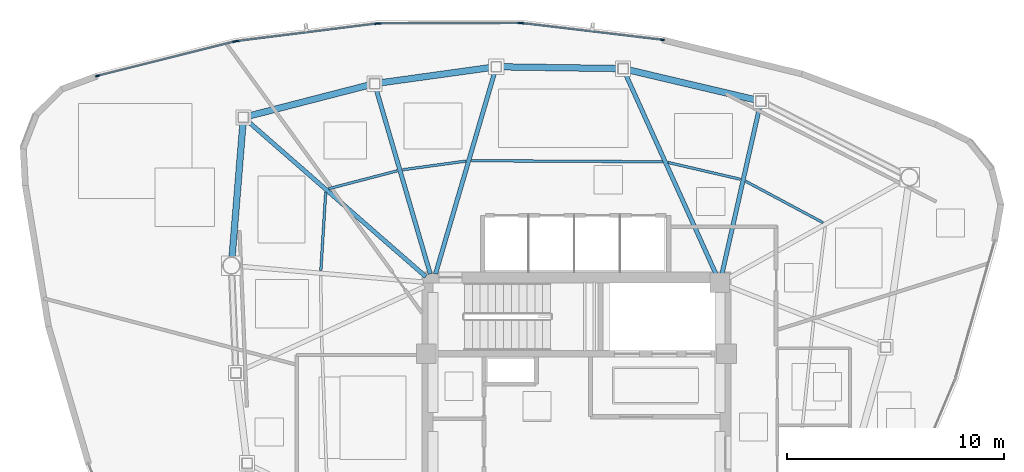
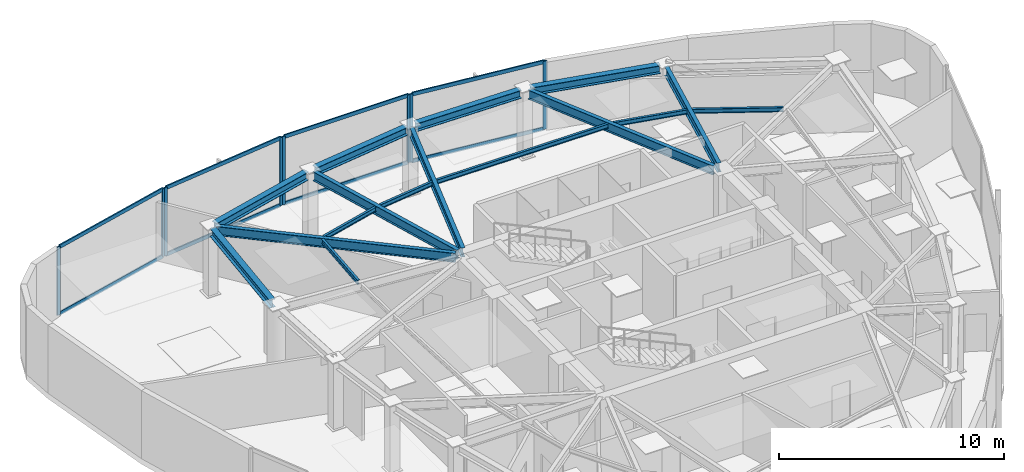
# One storey, part 5 of 12: 16 beams, 16 members, 4 elements without a shape of their own.
"""IFC4 building model written with IfcOpenShell, lengths in metres."""

import ifcopenshell
import ifcopenshell.guid

model = None  # the IFC model being written
_history = None  # IfcOwnerHistory: only IFC2X3 demands one
_inside = {}  # id of a spatial element -> (the spatial element, [elements in it])
_under = {}  # id of a project, library or spatial element -> (it, [spatial elements below it])
_declared = {}  # id of a project -> (the project, [libraries it declares])
_typed = {}  # id of a type object -> (the type object, [elements of that type])
_made_of = {}  # id of a material, layer set ... -> (it, [elements and type objects made of it])


def new_model(schema):
    """Start an empty IFC model of exactly this schema.

    Asked for "IFC4X3", IfcOpenShell would pick the latest addendum, in which some entities
    have other attributes; the version numbers below select the first issue.
    IFC2X3 requires an IfcOwnerHistory on every rooted entity: one is made here for all.
    """
    global model, _history
    if schema == "IFC4X3":
        model = ifcopenshell.file(schema_version=(4, 3, 0, 0))
    else:
        model = ifcopenshell.file(schema=schema)
    _inside.clear()
    _under.clear()
    _declared.clear()
    _typed.clear()
    _made_of.clear()
    _history = None
    if model.schema == "IFC2X3":
        org = make("IfcOrganization", Name="unknown")
        user = make(
            "IfcPersonAndOrganization",
            ThePerson=make("IfcPerson", FamilyName="unknown"),
            TheOrganization=org,
        )
        app = make(
            "IfcApplication",
            ApplicationDeveloper=org,
            Version="unknown",
            ApplicationFullName="unknown",
            ApplicationIdentifier="unknown",
        )
        _history = make(
            "IfcOwnerHistory",
            OwningUser=user,
            OwningApplication=app,
            ChangeAction="ADDED",
            CreationDate=0,
        )
    return model


def make(cls, **values):
    """One entity of the class cls with the attributes given. An attribute that is None is left unset."""
    return model.create_entity(
        cls, **{name: value for name, value in values.items() if value is not None}
    )


def rooted(cls, **values):
    """An entity with a GlobalId (a new one), such as an element, a storey or a relation."""
    return make(cls, GlobalId=ifcopenshell.guid.new(), OwnerHistory=_history, **values)


def si_unit(unit_type, name, prefix=None):
    """IfcSIUnit, for example si_unit("LENGTHUNIT", "METRE", prefix="MILLI")."""
    return make("IfcSIUnit", UnitType=unit_type, Prefix=prefix, Name=name)


def assignment(units):
    """IfcUnitAssignment: the units of a project."""
    return None if units is None else make("IfcUnitAssignment", Units=units)


def point(xyz):
    """IfcCartesianPoint."""
    return None if xyz is None else make("IfcCartesianPoint", Coordinates=xyz)


def direction(xyz):
    """IfcDirection."""
    return None if xyz is None else make("IfcDirection", DirectionRatios=xyz)


def frame(location, z_axis=None, x_axis=None):
    """IfcAxis2Placement3D, a coordinate frame: its origin and axes. An axis left out is left unset."""
    return make(
        "IfcAxis2Placement3D",
        Location=point(location),
        Axis=direction(z_axis),
        RefDirection=direction(x_axis),
    )


def frame_2d(location, x_axis=None):
    """IfcAxis2Placement2D, a coordinate frame in the plane: its origin and x axis."""
    return make(
        "IfcAxis2Placement2D", Location=point(location), RefDirection=direction(x_axis)
    )


def origin():
    """The frame at (0, 0, 0) with its axes left unset."""
    return frame((0.0, 0.0, 0.0))


def origin_2d():
    """The frame at (0, 0) in the plane with its x axis left unset."""
    return frame_2d((0.0, 0.0))


def place(relative_to, where):
    """IfcLocalPlacement: puts the frame where relative to a parent placement (None: the world)."""
    return make(
        "IfcLocalPlacement", PlacementRelTo=relative_to, RelativePlacement=where
    )


def context(
    kind, dimensions, precision=None, world=None, true_north=None, identifier=None
):
    """IfcGeometricRepresentationContext, for example the 3D "Model" context."""
    return make(
        "IfcGeometricRepresentationContext",
        ContextIdentifier=identifier,
        ContextType=kind,
        CoordinateSpaceDimension=dimensions,
        Precision=precision,
        WorldCoordinateSystem=world,
        TrueNorth=true_north,
    )


def subcontext(parent, identifier, kind, view, scale=None):
    """IfcGeometricRepresentationSubContext, for example "Body" below "Model"."""
    return make(
        "IfcGeometricRepresentationSubContext",
        ContextIdentifier=identifier,
        ContextType=kind,
        ParentContext=parent,
        TargetScale=scale,
        TargetView=view,
    )


def project(units=None, contexts=None):
    """IfcProject with its units and contexts."""
    return rooted(
        "IfcProject",
        Name="project",
        RepresentationContexts=contexts,
        UnitsInContext=assignment(units),
    )


def spatial(cls, under=None, at=None, **own):
    """A site, building, storey or space (cls), placed at a placement, below another one or the project."""
    s = rooted(cls, ObjectPlacement=at, **own)
    if under is not None:
        _under.setdefault(under.id(), (under, []))[1].append(s)
    return s


def profile(cls, at=None, kind="AREA", **sizes):
    """A parametric profile (cls). Its sizes go by their IFC names, for example OverallWidth=200.0."""
    return make(cls, ProfileType=kind, Position=at, **sizes)


def hollow_rectangle(**sizes):
    """IfcRectangleHollowProfileDef."""
    return profile("IfcRectangleHollowProfileDef", **sizes)


def i_section(**sizes):
    """IfcIShapeProfileDef."""
    return profile("IfcIShapeProfileDef", **sizes)


def extrude(swept, where, along, depth):
    """IfcExtrudedAreaSolid: the profile swept, set in the frame where, extruded along a direction by depth."""
    return make(
        "IfcExtrudedAreaSolid",
        SweptArea=swept,
        Position=where,
        ExtrudedDirection=direction(along),
        Depth=depth,
    )


def shape(context_of_items, identifier, shape_type, items):
    """IfcShapeRepresentation: the items that make up one representation, for example the "Body"."""
    return make(
        "IfcShapeRepresentation",
        ContextOfItems=context_of_items,
        RepresentationIdentifier=identifier,
        RepresentationType=shape_type,
        Items=items,
    )


def source(mapping_origin, context_of_items, identifier, shape_type, items):
    """IfcRepresentationMap: a shape defined once, which mapped items show again and again."""
    return make(
        "IfcRepresentationMap",
        MappingOrigin=mapping_origin,
        MappedRepresentation=shape(context_of_items, identifier, shape_type, items),
    )


def transform(
    local_origin,
    x_axis=None,
    y_axis=None,
    z_axis=None,
    scale=None,
    scale2=None,
    scale3=None,
    uniform=True,
):
    """IfcCartesianTransformationOperator3D, or its non-uniform kind. x_axis, y_axis, z_axis: its Axis1, 2, 3."""
    if uniform:
        return make(
            "IfcCartesianTransformationOperator3D",
            Axis1=direction(x_axis),
            Axis2=direction(y_axis),
            LocalOrigin=point(local_origin),
            Scale=scale,
            Axis3=direction(z_axis),
        )
    return make(
        "IfcCartesianTransformationOperator3DnonUniform",
        Axis1=direction(x_axis),
        Axis2=direction(y_axis),
        LocalOrigin=point(local_origin),
        Scale=scale,
        Axis3=direction(z_axis),
        Scale2=scale2,
        Scale3=scale3,
    )


def mapped(mapping_source, mapping_target):
    """IfcMappedItem: shows the shape of a source again, moved by a transform."""
    return make(
        "IfcMappedItem", MappingSource=mapping_source, MappingTarget=mapping_target
    )


def material(Name=None, Category=None):
    """IfcMaterial."""
    return make("IfcMaterial", Name=Name, Category=Category)


def layer(
    of_material, thickness, ventilated=None, Name=None, Category=None, Priority=None
):
    """IfcMaterialLayer: one layer of a wall or slab, of a material (None: an air gap)."""
    return make(
        "IfcMaterialLayer",
        Material=of_material,
        LayerThickness=thickness,
        IsVentilated=ventilated,
        Name=Name,
        Category=Category,
        Priority=Priority,
    )


def layer_set(layers, Name=None):
    """IfcMaterialLayerSet."""
    return make("IfcMaterialLayerSet", MaterialLayers=layers, LayerSetName=Name)


def material_profile(
    of_material, cross_section, Name=None, Category=None, Priority=None
):
    """IfcMaterialProfile: a cross section and its material."""
    return make(
        "IfcMaterialProfile",
        Name=Name,
        Material=of_material,
        Profile=cross_section,
        Priority=Priority,
        Category=Category,
    )


def profile_set(profiles, Name=None, composite=None):
    """IfcMaterialProfileSet."""
    return make(
        "IfcMaterialProfileSet",
        Name=Name,
        MaterialProfiles=profiles,
        CompositeProfile=composite,
    )


def made_of(thing, what):
    """Note that an element or type object is made of a material, layer set ...; save() writes the relation."""
    if what is not None:
        _made_of.setdefault(what.id(), (what, []))[1].append(thing)
    return thing


def type_object(cls, material=None, **own):
    """A type object (cls), such as IfcWallType, which elements share."""
    return made_of(rooted(cls, **own), material)


def type_shapes(of_type, sources):
    """Give a type object the sources (RepresentationMaps) that its elements show as mapped items."""
    of_type.RepresentationMaps = sources


def element(
    cls,
    number,
    at=None,
    inside=None,
    cuts=None,
    type_object=None,
    material=None,
    context=None,
    identifier="Body",
    shape_type=None,
    held_by="IfcProductDefinitionShape",
    body=None,
    shapes=None,
    **own,
):
    """One element of the class cls, such as IfcWall. Its Tag is "e" and its number.

    at: its placement. inside: the storey or other place that contains it. cuts: it is an
    opening in that element (IfcRelVoidsElement). A single representation is given by context,
    identifier, shape_type and body (its items); several are given by shapes. held_by: the class
    of the entity that holds the representations. save() writes the other relations.
    """
    e = rooted(cls, Tag="e%d" % number, ObjectPlacement=at, **own)
    if body is not None:
        shapes = [shape(context, identifier, shape_type, body)]
    if shapes is not None:
        e.Representation = make(held_by, Representations=shapes)
    if inside is not None:
        _inside.setdefault(inside.id(), (inside, []))[1].append(e)
    if cuts is not None:
        rooted(
            "IfcRelVoidsElement", RelatingBuildingElement=cuts, RelatedOpeningElement=e
        )
    if type_object is not None:
        _typed.setdefault(type_object.id(), (type_object, []))[1].append(e)
    return made_of(e, material)


def aggregate(whole, parts):
    """IfcRelAggregates: a whole, such as a stair, and the parts it consists of."""
    return rooted("IfcRelAggregates", RelatingObject=whole, RelatedObjects=parts)


def save(model, path):
    """Write the relations noted so far, then the file.

    IfcRelAggregates (storeys below a building ...), IfcRelContainedInSpatialStructure (elements
    in a storey), IfcRelDefinesByType, IfcRelAssociatesMaterial and IfcRelDeclares: one each for
    every whole, place, type object, material and project.
    """
    for whole, parts in _under.values():
        aggregate(whole, parts)
    for where, things in _inside.values():
        rooted(
            "IfcRelContainedInSpatialStructure",
            RelatedElements=things,
            RelatingStructure=where,
        )
    for kind, things in _typed.values():
        rooted("IfcRelDefinesByType", RelatedObjects=things, RelatingType=kind)
    for what, things in _made_of.values():
        rooted("IfcRelAssociatesMaterial", RelatedObjects=things, RelatingMaterial=what)
    for by, libraries in _declared.values():
        rooted("IfcRelDeclares", RelatingContext=by, RelatedDefinitions=libraries)
    model.write(path)


model = new_model("IFC4")

# Units and contexts
model_context = context("Model", 3, precision=1e-05, world=origin(), true_north=direction((0.0, 1.0)))
body_context = subcontext(model_context, "Body", "Model", "MODEL_VIEW")
ifc_project = project(units=[si_unit("LENGTHUNIT", "METRE"), si_unit("AREAUNIT", "SQUARE_METRE"), si_unit("VOLUMEUNIT", "CUBIC_METRE"), si_unit("PLANEANGLEUNIT", "RADIAN"), si_unit("MASSUNIT", "GRAM", prefix="KILO")], contexts=[model_context])

# Site, building, storey
site_placement = place(None, origin())
site = spatial("IfcSite", under=ifc_project, at=site_placement, CompositionType="ELEMENT")
building_placement = place(site_placement, origin())
building = spatial("IfcBuilding", under=site, at=building_placement, Name="Tavelor Broadcast Tower", CompositionType="ELEMENT")
storey_placement = place(building_placement, frame((0.0, 0.0, 281.5)))
storey = spatial("IfcBuildingStorey", under=building, at=storey_placement, Name="L67", CompositionType="ELEMENT", Elevation=281.5)

# Beams
ifc_material_1 = material(Name="Steel S355", Category="steel")
ifc_material_profile_1 = material_profile(ifc_material_1, i_section(OverallWidth=0.1201171875, OverallDepth=0.239990234375, WebThickness=0.006103515625, FlangeThickness=0.009765625, at=origin_2d()), Name="IPE 240")
ifc_profile_set_1 = profile_set([ifc_material_profile_1], Name="Steel S355")
beam_type_1 = type_object("IfcBeamType", Name="Composite Floor Joist T7 IPE 240", PredefinedType="JOIST", material=ifc_profile_set_1)
beam_1_placement = place(storey_placement, frame((61.344482421875, 53.96630859375, 3.580078125), z_axis=(-0.881609274303, 0.471979965108, 0.0), x_axis=(-0.471979965108, -0.881609274303, 0.0)))
element("IfcBeam", 1, at=beam_1_placement, inside=storey, type_object=beam_type_1, Name="L67 Secondary Composite Floor Joist 13", PredefinedType="JOIST", context=body_context, shape_type="SweptSolid", body=[
    extrude(i_section(OverallWidth=0.1201171875, OverallDepth=0.239990234375, WebThickness=0.006103515625, FlangeThickness=0.009765625, at=origin_2d()), origin(), (0.0, 0.0, 1.0), 4.041015625),
])
beam_2_placement = place(storey_placement, frame((57.54248046875, 55.96337890625, 3.580078125), z_axis=(-0.974044982297, 0.226354528257, 0.0), x_axis=(-0.226354528257, -0.974044982297, 0.0)))
element("IfcBeam", 2, at=beam_2_placement, inside=storey, type_object=beam_type_1, Name="L67 Secondary Composite Floor Joist 14", PredefinedType="JOIST", context=body_context, shape_type="SweptSolid", body=[
    extrude(i_section(OverallWidth=0.1201171875, OverallDepth=0.239990234375, WebThickness=0.006103515625, FlangeThickness=0.009765625, at=origin_2d()), origin(), (0.0, 0.0, 1.0), 3.42236328125),
])
beam_3_placement = place(storey_placement, frame((53.954345703125, 56.76806640625, 3.580078125), z_axis=(-0.999984057593, 0.005646641549, 0.0), x_axis=(-0.005646641549, -0.999984057593, 0.0)))
element("IfcBeam", 3, at=beam_3_placement, inside=storey, type_object=beam_type_1, Name="L67 Secondary Composite Floor Joist 15", PredefinedType="JOIST", context=body_context, shape_type="SweptSolid", body=[
    extrude(i_section(OverallWidth=0.1201171875, OverallDepth=0.239990234375, WebThickness=0.006103515625, FlangeThickness=0.009765625, at=origin_2d()), origin(), (0.0, 0.0, 1.0), 8.777099609375),
])
beam_4_placement = place(storey_placement, frame((44.920654296875, 56.80078125, 3.580078125), z_axis=(-0.990691592416, -0.136125562317, 0.0), x_axis=(0.136125562317, -0.990691592416, 0.0)))
element("IfcBeam", 4, at=beam_4_placement, inside=storey, type_object=beam_type_1, Name="L67 Secondary Composite Floor Joist 16", PredefinedType="JOIST", context=body_context, shape_type="SweptSolid", body=[
    extrude(i_section(OverallWidth=0.1201171875, OverallDepth=0.239990234375, WebThickness=0.006103515625, FlangeThickness=0.009765625, at=origin_2d()), origin(), (0.0, 0.0, 1.0), 2.937744140625),
])
beam_5_placement = place(storey_placement, frame((41.757568359375, 56.35107421875, 3.580078125), z_axis=(-0.967742888196, -0.251939878435, 0.0), x_axis=(0.251939878435, -0.967742888196, 0.0)))
element("IfcBeam", 5, at=beam_5_placement, inside=storey, type_object=beam_type_1, Name="L67 Secondary Composite Floor Joist 17", PredefinedType="JOIST", context=body_context, shape_type="SweptSolid", body=[
    extrude(i_section(OverallWidth=0.1201171875, OverallDepth=0.239990234375, WebThickness=0.006103515625, FlangeThickness=0.009765625, at=origin_2d()), origin(), (0.0, 0.0, 1.0), 3.2578125),
])
beam_6_placement = place(storey_placement, frame((38.471923828125, 55.368896484375, 3.580078125), z_axis=(-0.062188497897, -0.998064422134, 0.0), x_axis=(0.998064422134, -0.062188497897, 0.0)))
element("IfcBeam", 6, at=beam_6_placement, inside=storey, type_object=beam_type_1, Name="L67 Secondary Composite Floor Joist 18", PredefinedType="JOIST", context=body_context, shape_type="SweptSolid", body=[
    extrude(i_section(OverallWidth=0.1201171875, OverallDepth=0.239990234375, WebThickness=0.006103515625, FlangeThickness=0.009765625, at=origin_2d()), origin(), (0.0, 0.0, 1.0), 3.60400390625),
])
ifc_material_profile_2 = material_profile(ifc_material_1, i_section(OverallWidth=0.300048828125, OverallDepth=0.43994140625, WebThickness=0.011474609375, FlangeThickness=0.02099609375, at=origin_2d()), Name="HEA 450")
ifc_profile_set_2 = profile_set([ifc_material_profile_2], Name="Steel S355")
beam_type_2 = type_object("IfcBeamType", Name="Perimeter Spandrel Beam T7 HEA 450", PredefinedType="SPANDREL", material=ifc_profile_set_2)
beam_7_placement = place(storey_placement, frame((58.251953125, 59.6123046875, 3.47998046875), z_axis=(-0.973341210947, 0.229361912863, 0.0), x_axis=(-0.229361912863, -0.973341210947, 0.0)))
element("IfcBeam", 7, at=beam_7_placement, inside=storey, type_object=beam_type_2, Name="L67 Framed-Tube Ring Spandrel 14", PredefinedType="SPANDREL", context=body_context, shape_type="SweptSolid", body=[
    extrude(i_section(OverallWidth=0.300048828125, OverallDepth=0.43994140625, WebThickness=0.011474609375, FlangeThickness=0.02099609375, at=origin_2d()), origin(), (0.0, 0.0, 1.0), 6.0322265625),
])
beam_8_placement = place(storey_placement, frame((51.906982421875, 61.054443359375, 3.47998046875), z_axis=(-0.999890103457, 0.014825012939, 0.0), x_axis=(-0.014825012939, -0.999890103457, 0.0)))
element("IfcBeam", 8, at=beam_8_placement, inside=storey, type_object=beam_type_2, Name="L67 Framed-Tube Ring Spandrel 15", PredefinedType="SPANDREL", context=body_context, shape_type="SweptSolid", body=[
    extrude(i_section(OverallWidth=0.300048828125, OverallDepth=0.43994140625, WebThickness=0.011474609375, FlangeThickness=0.02099609375, at=origin_2d()), origin(), (0.0, 0.0, 1.0), 5.35205078125),
])
beam_9_placement = place(storey_placement, frame((46.077880859375, 61.104248046875, 3.47998046875), z_axis=(-0.99051816585, -0.137381815101, 0.0), x_axis=(0.137381815101, -0.99051816585, 0.0)))
element("IfcBeam", 9, at=beam_9_placement, inside=storey, type_object=beam_type_2, Name="L67 Framed-Tube Ring Spandrel 16", PredefinedType="SPANDREL", context=body_context, shape_type="SweptSolid", body=[
    extrude(i_section(OverallWidth=0.300048828125, OverallDepth=0.43994140625, WebThickness=0.011474609375, FlangeThickness=0.02099609375, at=origin_2d()), origin(), (0.0, 0.0, 1.0), 5.17138671875),
])
beam_10_placement = place(storey_placement, frame((40.485595703125, 60.301025390625, 3.47998046875), z_axis=(-0.968436978706, -0.249258537014, 0.0), x_axis=(0.249258537014, -0.968436978706, 0.0)))
element("IfcBeam", 10, at=beam_10_placement, inside=storey, type_object=beam_type_2, Name="L67 Framed-Tube Ring Spandrel 17", PredefinedType="SPANDREL", context=body_context, shape_type="SweptSolid", body=[
    extrude(i_section(OverallWidth=0.300048828125, OverallDepth=0.43994140625, WebThickness=0.011474609375, FlangeThickness=0.02099609375, at=origin_2d()), origin(), (0.0, 0.0, 1.0), 5.74560546875),
])
beam_11_placement = place(storey_placement, frame((34.669677734375, 58.56982421875, 3.47998046875), z_axis=(-0.081085240328, -0.996707170538, 0.0), x_axis=(0.996707170538, -0.081085240328, 0.0)))
element("IfcBeam", 11, at=beam_11_placement, inside=storey, type_object=beam_type_2, Name="L67 Framed-Tube Ring Spandrel 18", PredefinedType="SPANDREL", context=body_context, shape_type="SweptSolid", body=[
    extrude(i_section(OverallWidth=0.300048828125, OverallDepth=0.43994140625, WebThickness=0.011474609375, FlangeThickness=0.02099609375, at=origin_2d()), origin(), (0.0, 0.0, 1.0), 6.20556640625),
])
ifc_material_profile_3 = material_profile(ifc_material_1, i_section(OverallWidth=0.199951171875, OverallDepth=0.5, WebThickness=0.01025390625, FlangeThickness=0.01611328125, at=origin_2d()), Name="IPE 500")
ifc_profile_set_3 = profile_set([ifc_material_profile_3], Name="Steel S355")
beam_type_3 = type_object("IfcBeamType", Name="Radial Floor Girder T7 IPE 500", PredefinedType="BEAM", material=ifc_profile_set_3)
beam_12_placement = place(storey_placement, frame((56.695068359375, 51.621337890625, 3.449951171875), z_axis=(0.22010521598, 0.975476137021, 0.0), x_axis=(-0.975476137021, 0.22010521598, 0.0)))
element("IfcBeam", 12, at=beam_12_placement, inside=storey, type_object=beam_type_3, Name="L67 Radial Primary Floor Girder 14", PredefinedType="BEAM", context=body_context, shape_type="SweptSolid", body=[
    extrude(i_section(OverallWidth=0.199951171875, OverallDepth=0.5, WebThickness=0.01025390625, FlangeThickness=0.01611328125, at=origin_2d()), origin(), (0.0, 0.0, 1.0), 7.895263671875),
])
beam_13_placement = place(storey_placement, frame((56.422119140625, 51.59375, 3.449951171875), z_axis=(-0.411897039455, 0.911230392869, 0.0), x_axis=(-0.911230392869, -0.411897039455, 0.0)))
element("IfcBeam", 13, at=beam_13_placement, inside=storey, type_object=beam_type_3, Name="L67 Radial Primary Floor Girder 15", PredefinedType="BEAM", context=body_context, shape_type="SweptSolid", body=[
    extrude(i_section(OverallWidth=0.199951171875, OverallDepth=0.5, WebThickness=0.01025390625, FlangeThickness=0.01611328125, at=origin_2d()), origin(), (0.0, 0.0, 1.0), 10.138427734375),
])
beam_14_placement = place(storey_placement, frame((43.521484375, 51.614501953125, 3.449951171875), z_axis=(0.281523398042, 0.959554363418, 0.0), x_axis=(-0.959554363418, 0.281523398042, 0.0)))
element("IfcBeam", 14, at=beam_14_placement, inside=storey, type_object=beam_type_3, Name="L67 Radial Primary Floor Girder 16", PredefinedType="BEAM", context=body_context, shape_type="SweptSolid", body=[
    extrude(i_section(OverallWidth=0.199951171875, OverallDepth=0.5, WebThickness=0.01025390625, FlangeThickness=0.01611328125, at=origin_2d()), origin(), (0.0, 0.0, 1.0), 9.68408203125),
])
beam_15_placement = place(storey_placement, frame((43.278564453125, 51.614501953125, 3.449951171875), z_axis=(-0.280965508075, 0.959717866496, 0.0), x_axis=(-0.959717866496, -0.280965508075, 0.0)))
element("IfcBeam", 15, at=beam_15_placement, inside=storey, type_object=beam_type_3, Name="L67 Radial Primary Floor Girder 17", PredefinedType="BEAM", context=body_context, shape_type="SweptSolid", body=[
    extrude(i_section(OverallWidth=0.199951171875, OverallDepth=0.5, WebThickness=0.01025390625, FlangeThickness=0.01611328125, at=origin_2d()), origin(), (0.0, 0.0, 1.0), 8.87353515625),
])
beam_16_placement = place(storey_placement, frame((43.07470703125, 51.484130859375, 3.449951171875), z_axis=(-0.753133106232, 0.657868166351, 0.0), x_axis=(-0.657868166351, -0.753133106232, 0.0)))
element("IfcBeam", 16, at=beam_16_placement, inside=storey, type_object=beam_type_3, Name="L67 Radial Primary Floor Girder 18", PredefinedType="BEAM", context=body_context, shape_type="SweptSolid", body=[
    extrude(i_section(OverallWidth=0.199951171875, OverallDepth=0.5, WebThickness=0.01025390625, FlangeThickness=0.01611328125, at=origin_2d()), origin(), (0.0, 0.0, 1.0), 10.894287109375),
])

# Curtain wall, members
ifc_material_2 = material(Name="Architectural Anodized Aluminium", Category="aluminium")
ifc_layer = layer(ifc_material_2, 0.199951171875)
ifc_layer_set = layer_set([ifc_layer], Name="Architectural Anodized Aluminium")
curtain_wall_type = type_object("IfcCurtainWallType", Name="Tower High-Zone Triple-Glazed Curtain Wall CW04", PredefinedType="NOTDEFINED", material=ifc_layer_set)
curtain_wall_1_placement = place(storey_placement, origin())
curtain_wall_1 = element("IfcCurtainWall", 17, at=curtain_wall_1_placement, inside=storey, type_object=curtain_wall_type, Name="L67 Curtain Wall CW04 Run 741", PredefinedType="NOTDEFINED")
ifc_material_profile_4 = material_profile(ifc_material_2, hollow_rectangle(XDim=0.070068359375, YDim=0.199951171875, WallThickness=0.02197265625, at=origin_2d()), Name="RHS 70x200x22")
ifc_profile_set_4 = profile_set([ifc_material_profile_4], Name="Architectural Anodized Aluminium")
member_type_1 = type_object("IfcMemberType", Name="CW04 Extruded Aluminium Mullion 70x200", PredefinedType="MULLION", material=ifc_profile_set_4)
shared_shape_1 = source(origin(), body_context, "Body", "SweptSolid", [
    extrude(hollow_rectangle(XDim=0.070068359375, YDim=0.199951171875, WallThickness=0.02197265625, at=origin_2d()), origin(), (0.0, 0.0, 1.0), 3.699951171875),
])
type_shapes(member_type_1, [shared_shape_1])
member_1_placement = place(storey_placement, frame((53.947509765625, 62.37548828125, 0.0), z_axis=(0.0, 0.0, 1.0), x_axis=(-0.117986229304, -0.993015231351, 0.0)))
member_1 = element("IfcMember", 18, at=member_1_placement, type_object=member_type_1, Name="CW04 mullion 1", PredefinedType="MULLION", context=body_context, shape_type="MappedRepresentation", body=[
    mapped(shared_shape_1, transform((0.0, 0.0, 0.0), scale=1.0)),
])
member_2_placement = place(storey_placement, frame((47.49609375, 63.14208984375, 0.0), z_axis=(0.0, 0.0, 1.0), x_axis=(-0.117986229304, -0.993015231351, 0.0)))
member_2 = element("IfcMember", 19, at=member_2_placement, type_object=member_type_1, Name="CW04 mullion 2", PredefinedType="MULLION", context=body_context, shape_type="MappedRepresentation", body=[
    mapped(shared_shape_1, transform((0.0, 0.0, 0.0), scale=1.0)),
])

curtain_wall_2_placement = place(storey_placement, origin())
curtain_wall_2 = element("IfcCurtainWall", 20, at=curtain_wall_2_placement, inside=storey, type_object=curtain_wall_type, Name="L67 Curtain Wall CW04 Run 742", PredefinedType="NOTDEFINED")
member_3_placement = place(storey_placement, frame((47.396484375, 63.147705078125, 0.0), z_axis=(0.0, 0.0, 1.0), x_axis=(0.003052488837, -0.999995341145, 0.0)))
member_3 = element("IfcMember", 21, at=member_3_placement, type_object=member_type_1, Name="CW04 mullion 1", PredefinedType="MULLION", context=body_context, shape_type="MappedRepresentation", body=[
    mapped(shared_shape_1, transform((0.0, 0.0, 0.0), scale=1.0)),
])
member_4_placement = place(storey_placement, frame((40.914306640625, 63.1279296875, 0.0), z_axis=(0.0, 0.0, 1.0), x_axis=(0.003052488837, -0.999995341145, 0.0)))
member_4 = element("IfcMember", 22, at=member_4_placement, type_object=member_type_1, Name="CW04 mullion 2", PredefinedType="MULLION", context=body_context, shape_type="MappedRepresentation", body=[
    mapped(shared_shape_1, transform((0.0, 0.0, 0.0), scale=1.0)),
])

curtain_wall_3_placement = place(storey_placement, origin())
curtain_wall_3 = element("IfcCurtainWall", 23, at=curtain_wall_3_placement, inside=storey, type_object=curtain_wall_type, Name="L67 Curtain Wall CW04 Run 743", PredefinedType="NOTDEFINED")
member_5_placement = place(storey_placement, frame((40.814697265625, 63.12158203125, 0.0), z_axis=(0.0, 0.0, 1.0), x_axis=(0.124057276772, -0.992275058681, 0.0)))
member_5 = element("IfcMember", 24, at=member_5_placement, type_object=member_type_1, Name="CW04 mullion 1", PredefinedType="MULLION", context=body_context, shape_type="MappedRepresentation", body=[
    mapped(shared_shape_1, transform((0.0, 0.0, 0.0), scale=1.0)),
])
member_6_placement = place(storey_placement, frame((34.383056640625, 62.3173828125, 0.0), z_axis=(0.0, 0.0, 1.0), x_axis=(0.124057276772, -0.992275058681, 0.0)))
member_6 = element("IfcMember", 25, at=member_6_placement, type_object=member_type_1, Name="CW04 mullion 2", PredefinedType="MULLION", context=body_context, shape_type="MappedRepresentation", body=[
    mapped(shared_shape_1, transform((0.0, 0.0, 0.0), scale=1.0)),
])

curtain_wall_4_placement = place(storey_placement, origin())
curtain_wall_4 = element("IfcCurtainWall", 26, at=curtain_wall_4_placement, inside=storey, type_object=curtain_wall_type, Name="L67 Curtain Wall CW04 Run 744", PredefinedType="NOTDEFINED")
member_7_placement = place(storey_placement, frame((34.284912109375, 62.299072265625, 0.0), z_axis=(0.0, 0.0, 1.0), x_axis=(0.243223387187, -0.969970300538, 0.0)))
member_7 = element("IfcMember", 27, at=member_7_placement, type_object=member_type_1, Name="CW04 mullion 1", PredefinedType="MULLION", context=body_context, shape_type="MappedRepresentation", body=[
    mapped(shared_shape_1, transform((0.0, 0.0, 0.0), scale=1.0)),
])
member_8_placement = place(storey_placement, frame((27.98193359375, 60.718505859375, 0.0), z_axis=(0.0, 0.0, 1.0), x_axis=(0.243223387187, -0.969970300538, 0.0)))
member_8 = element("IfcMember", 28, at=member_8_placement, type_object=member_type_1, Name="CW04 mullion 2", PredefinedType="MULLION", context=body_context, shape_type="MappedRepresentation", body=[
    mapped(shared_shape_1, transform((0.0, 0.0, 0.0), scale=1.0)),
])

# Member
ifc_material_profile_5 = material_profile(ifc_material_2, hollow_rectangle(XDim=0.070068359375, YDim=0.199951171875, WallThickness=0.02197265625, at=origin_2d()), Name="RHS 70x200x22")
ifc_profile_set_5 = profile_set([ifc_material_profile_5], Name="Architectural Anodized Aluminium")
member_type_2 = type_object("IfcMemberType", Name="CW04 Extruded Aluminium Transom 70x200", PredefinedType="USERDEFINED", material=ifc_profile_set_5)
shared_shape_2 = source(origin(), body_context, "Body", "SweptSolid", [
    extrude(hollow_rectangle(XDim=0.070068359375, YDim=0.199951171875, WallThickness=0.02197265625, at=origin_2d()), origin(), (0.0, 0.0, 1.0), 6.427001953125),
])
member_9_placement = place(storey_placement, frame((53.912841796875, 62.379638671875, 0.034912109375), z_axis=(-0.993015109046, 0.117987258662, 0.0), x_axis=(-0.117987258662, -0.993015109046, 0.0)))
member_9 = element("IfcMember", 29, at=member_9_placement, type_object=member_type_2, Name="CW04 transom 1.1", ObjectType="TRANSOM", PredefinedType="USERDEFINED", context=body_context, shape_type="MappedRepresentation", body=[
    mapped(shared_shape_2, transform((0.0, 0.0, 0.0), scale=1.0)),
])

member_10_placement = place(storey_placement, frame((53.912841796875, 62.379638671875, 3.6650390625), z_axis=(-0.993015109046, 0.117987258662, 0.0), x_axis=(-0.117987258662, -0.993015109046, 0.0)))
member_10 = element("IfcMember", 30, at=member_10_placement, type_object=member_type_2, Name="CW04 transom 1.2", ObjectType="TRANSOM", PredefinedType="USERDEFINED", context=body_context, shape_type="MappedRepresentation", body=[
    mapped(shared_shape_2, transform((0.0, 0.0, 0.0), scale=1.0)),
])

aggregate(curtain_wall_1, [member_1, member_2, member_9, member_10])

shared_shape_3 = source(origin(), body_context, "Body", "SweptSolid", [
    extrude(hollow_rectangle(XDim=0.070068359375, YDim=0.199951171875, WallThickness=0.02197265625, at=origin_2d()), origin(), (0.0, 0.0, 1.0), 6.411865234375),
])
member_11_placement = place(storey_placement, frame((47.361328125, 63.147705078125, 0.034912109375), z_axis=(-0.99999524393, -0.00308417221, 0.0), x_axis=(0.00308417221, -0.99999524393, 0.0)))
member_11 = element("IfcMember", 31, at=member_11_placement, type_object=member_type_2, Name="CW04 transom 1.1", ObjectType="TRANSOM", PredefinedType="USERDEFINED", context=body_context, shape_type="MappedRepresentation", body=[
    mapped(shared_shape_3, transform((0.0, 0.0, 0.0), scale=1.0)),
])

member_12_placement = place(storey_placement, frame((47.361328125, 63.147705078125, 3.6650390625), z_axis=(-0.99999524393, -0.00308417221, 0.0), x_axis=(0.00308417221, -0.99999524393, 0.0)))
member_12 = element("IfcMember", 32, at=member_12_placement, type_object=member_type_2, Name="CW04 transom 1.2", ObjectType="TRANSOM", PredefinedType="USERDEFINED", context=body_context, shape_type="MappedRepresentation", body=[
    mapped(shared_shape_3, transform((0.0, 0.0, 0.0), scale=1.0)),
])

aggregate(curtain_wall_2, [member_3, member_4, member_11, member_12])

member_13_placement = place(storey_placement, frame((40.780029296875, 63.1171875, 0.034912109375), z_axis=(-0.992275533363, -0.124053479958, 0.0), x_axis=(0.124053479958, -0.992275533363, 0.0)))
member_13 = element("IfcMember", 33, at=member_13_placement, type_object=member_type_2, Name="CW04 transom 1.1", ObjectType="TRANSOM", PredefinedType="USERDEFINED", context=body_context, shape_type="MappedRepresentation", body=[
    mapped(shared_shape_3, transform((0.0, 0.0, 0.0), scale=1.0)),
])

member_14_placement = place(storey_placement, frame((40.780029296875, 63.1171875, 3.6650390625), z_axis=(-0.992275533363, -0.124053479958, 0.0), x_axis=(0.124053479958, -0.992275533363, 0.0)))
member_14 = element("IfcMember", 34, at=member_14_placement, type_object=member_type_2, Name="CW04 transom 1.2", ObjectType="TRANSOM", PredefinedType="USERDEFINED", context=body_context, shape_type="MappedRepresentation", body=[
    mapped(shared_shape_3, transform((0.0, 0.0, 0.0), scale=1.0)),
])

aggregate(curtain_wall_3, [member_5, member_6, member_13, member_14])

shared_shape_4 = source(origin(), body_context, "Body", "SweptSolid", [
    extrude(hollow_rectangle(XDim=0.070068359375, YDim=0.199951171875, WallThickness=0.02197265625, at=origin_2d()), origin(), (0.0, 0.0, 1.0), 6.427978515625),
])
type_shapes(member_type_2, [shared_shape_2, shared_shape_3, shared_shape_4])
member_15_placement = place(storey_placement, frame((34.2509765625, 62.29052734375, 0.034912109375), z_axis=(-0.969967982297, -0.243232632102, 0.0), x_axis=(0.243232632102, -0.969967982297, 0.0)))
member_15 = element("IfcMember", 35, at=member_15_placement, type_object=member_type_2, Name="CW04 transom 1.1", ObjectType="TRANSOM", PredefinedType="USERDEFINED", context=body_context, shape_type="MappedRepresentation", body=[
    mapped(shared_shape_4, transform((0.0, 0.0, 0.0), scale=1.0)),
])

member_16_placement = place(storey_placement, frame((34.2509765625, 62.29052734375, 3.6650390625), z_axis=(-0.969967982297, -0.243232632102, 0.0), x_axis=(0.243232632102, -0.969967982297, 0.0)))
member_16 = element("IfcMember", 36, at=member_16_placement, type_object=member_type_2, Name="CW04 transom 1.2", ObjectType="TRANSOM", PredefinedType="USERDEFINED", context=body_context, shape_type="MappedRepresentation", body=[
    mapped(shared_shape_4, transform((0.0, 0.0, 0.0), scale=1.0)),
])

aggregate(curtain_wall_4, [member_7, member_8, member_15, member_16])

save(model, "model.ifc")
